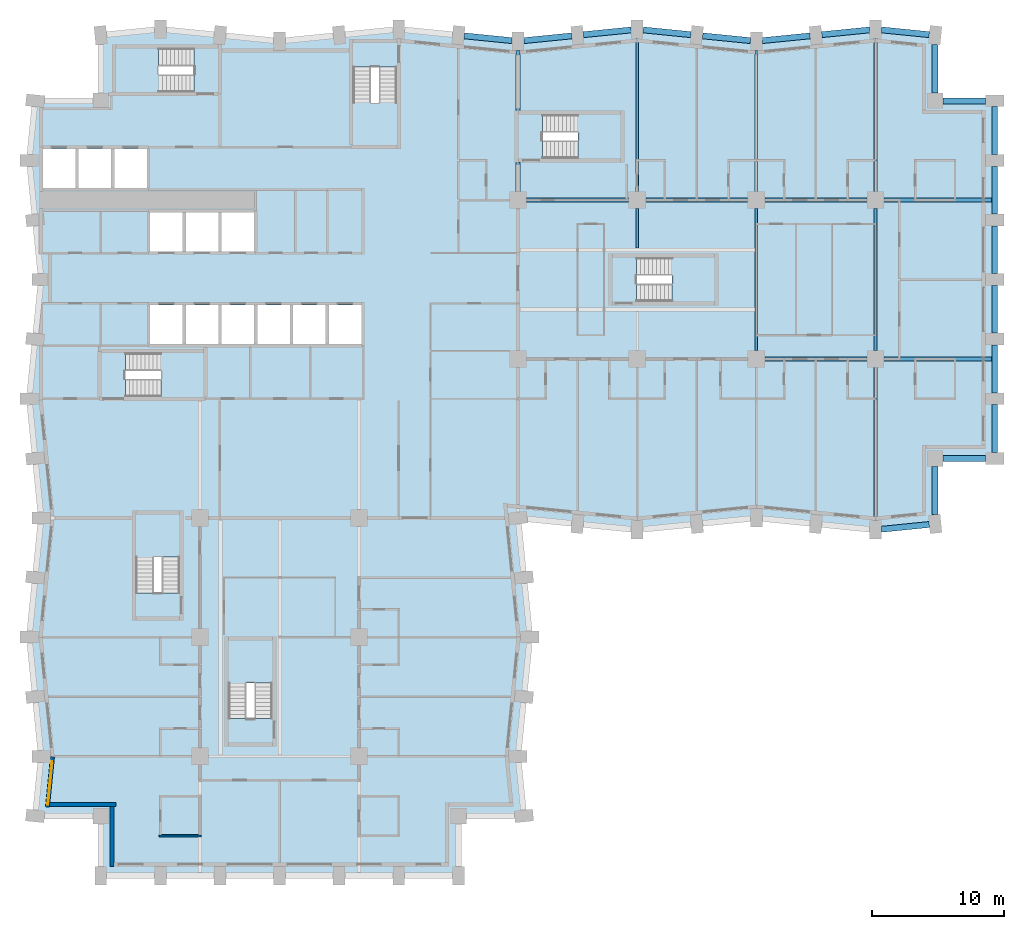
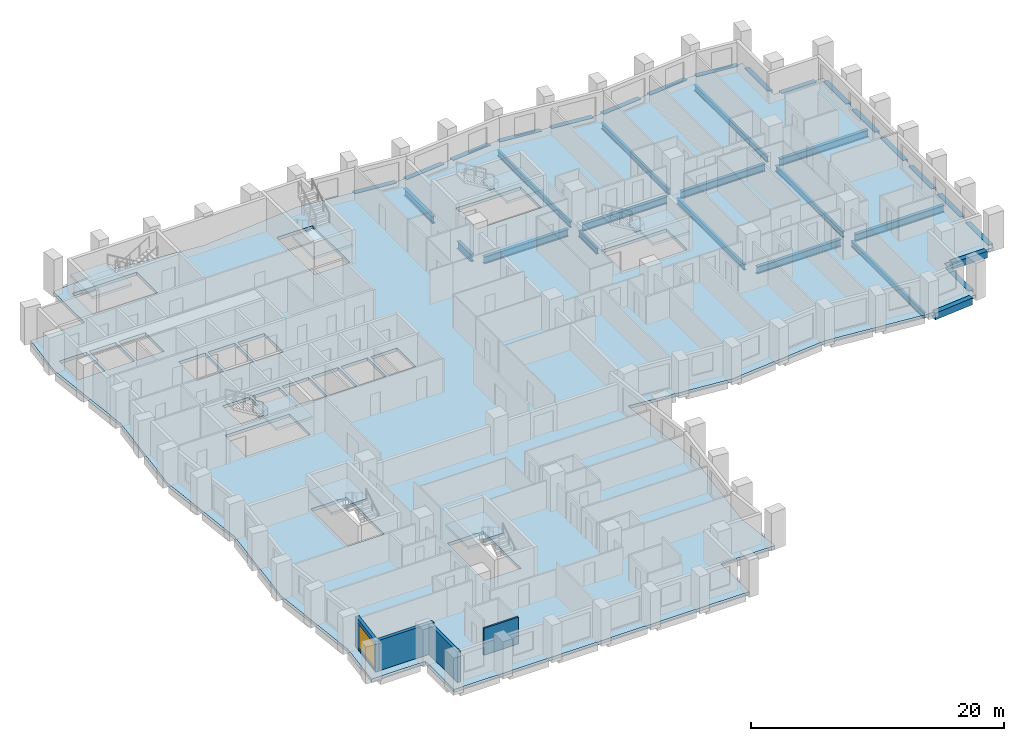
# One storey, part 2 of 13: 34 beams, 8 slabs, 4 walls, 1 window, 1 opening, 7 elements without a shape of their own.
"""IFC4 building model written with IfcOpenShell, lengths in metres."""

from ifc_helpers import new_model, si_unit, direction, frame, frame_2d, origin, origin_2d, place, context, subcontext, project, spatial, polyline, rectangle, i_section, outline, extrude, material, layer, layer_set, material_profile, profile_set, type_object, element, fill, aggregate, save


model = new_model("IFC4")

# Units and contexts
model_context = context("Model", 3, precision=1e-05, world=origin(), true_north=direction((0.0, 1.0)))
body_context = subcontext(model_context, "Body", "Model", "MODEL_VIEW")
ifc_project = project(units=[si_unit("LENGTHUNIT", "METRE"), si_unit("AREAUNIT", "SQUARE_METRE"), si_unit("VOLUMEUNIT", "CUBIC_METRE"), si_unit("PLANEANGLEUNIT", "RADIAN"), si_unit("MASSUNIT", "GRAM", prefix="KILO")], contexts=[model_context])

# Site, building, storey
site_placement = place(None, origin())
site = spatial("IfcSite", under=ifc_project, at=site_placement, CompositionType="ELEMENT")
building_placement = place(site_placement, origin())
building = spatial("IfcBuilding", under=site, at=building_placement, Name="Brondeck Convention Tower", CompositionType="ELEMENT")
storey_placement = place(building_placement, frame((0.0, 0.0, 44.699951171875)))
storey = spatial("IfcBuildingStorey", under=building, at=storey_placement, Name="L08", CompositionType="ELEMENT", Elevation=44.699951171875)

# Beams
ifc_material_1 = material(Name="Steel S355", Category="steel")
ifc_material_profile_1 = material_profile(ifc_material_1, i_section(OverallWidth=0.2099609375, OverallDepth=0.550048828125, WebThickness=0.010986328125, FlangeThickness=0.01708984375, FilletRadius=0.02392578125, at=origin_2d()), Name="IPE 550")
ifc_profile_set_1 = profile_set([ifc_material_profile_1], Name="Steel S355")
beam_type_1 = type_object("IfcBeamType", Name="Floor beam IPE 550", PredefinedType="BEAM", material=ifc_profile_set_1)
beam_1_placement = place(storey_placement, frame((45.0, 51.64990234375, -0.574951171875), z_axis=(0.0, 1.0, 0.0), x_axis=(-1.0, 0.0, 0.0)))
element("IfcBeam", 1, at=beam_1_placement, inside=storey, type_object=beam_type_1, Name="STR-FB-L08-002", PredefinedType="BEAM", context=body_context, shape_type="SweptSolid", body=[
    extrude(i_section(OverallWidth=0.2099609375, OverallDepth=0.550048828125, WebThickness=0.010986328125, FlangeThickness=0.01708984375, FilletRadius=0.02392578125, at=origin_2d()), origin(), (0.0, 0.0, 1.0), 11.550048828125),
])
beam_2_placement = place(storey_placement, frame((54.0, 39.64990234375, -0.574951171875), z_axis=(0.0, 1.0, 0.0), x_axis=(-1.0, 0.0, 0.0)))
element("IfcBeam", 2, at=beam_2_placement, inside=storey, type_object=beam_type_1, Name="STR-FB-L08-004", PredefinedType="BEAM", context=body_context, shape_type="SweptSolid", body=[
    extrude(i_section(OverallWidth=0.2099609375, OverallDepth=0.550048828125, WebThickness=0.010986328125, FlangeThickness=0.01708984375, FilletRadius=0.02392578125, at=origin_2d()), origin(), (0.0, 0.0, 1.0), 10.7001953125),
])
beam_3_placement = place(storey_placement, frame((54.0, 51.64990234375, -0.574951171875), z_axis=(0.0, 1.0, 0.0), x_axis=(-1.0, 0.0, 0.0)))
element("IfcBeam", 3, at=beam_3_placement, inside=storey, type_object=beam_type_1, Name="STR-FB-L08-005", PredefinedType="BEAM", context=body_context, shape_type="SweptSolid", body=[
    extrude(i_section(OverallWidth=0.2099609375, OverallDepth=0.550048828125, WebThickness=0.010986328125, FlangeThickness=0.01708984375, FilletRadius=0.02392578125, at=origin_2d()), origin(), (0.0, 0.0, 1.0), 10.650146484375),
])
beam_4_placement = place(storey_placement, frame((63.0, 26.800048828125, -0.574951171875), z_axis=(0.0, 1.0, 0.0), x_axis=(-1.0, 0.0, 0.0)))
element("IfcBeam", 4, at=beam_4_placement, inside=storey, type_object=beam_type_1, Name="STR-FB-L08-006", PredefinedType="BEAM", context=body_context, shape_type="SweptSolid", body=[
    extrude(i_section(OverallWidth=0.2099609375, OverallDepth=0.550048828125, WebThickness=0.010986328125, FlangeThickness=0.01708984375, FilletRadius=0.02392578125, at=origin_2d()), origin(), (0.0, 0.0, 1.0), 11.550048828125),
])
beam_5_placement = place(storey_placement, frame((63.0, 39.64990234375, -0.574951171875), z_axis=(0.0, 1.0, 0.0), x_axis=(-1.0, 0.0, 0.0)))
element("IfcBeam", 5, at=beam_5_placement, inside=storey, type_object=beam_type_1, Name="STR-FB-L08-007", PredefinedType="BEAM", context=body_context, shape_type="SweptSolid", body=[
    extrude(i_section(OverallWidth=0.2099609375, OverallDepth=0.550048828125, WebThickness=0.010986328125, FlangeThickness=0.01708984375, FilletRadius=0.02392578125, at=origin_2d()), origin(), (0.0, 0.0, 1.0), 10.7001953125),
])
beam_6_placement = place(storey_placement, frame((63.0, 51.64990234375, -0.574951171875), z_axis=(0.0, 1.0, 0.0), x_axis=(-1.0, 0.0, 0.0)))
element("IfcBeam", 6, at=beam_6_placement, inside=storey, type_object=beam_type_1, Name="STR-FB-L08-008", PredefinedType="BEAM", context=body_context, shape_type="SweptSolid", body=[
    extrude(i_section(OverallWidth=0.2099609375, OverallDepth=0.550048828125, WebThickness=0.010986328125, FlangeThickness=0.01708984375, FilletRadius=0.02392578125, at=origin_2d()), origin(), (0.0, 0.0, 1.0), 11.550048828125),
])
beam_7_placement = place(storey_placement, frame((45.0, 47.39990234375, -0.574951171875), z_axis=(0.0, 1.0, 0.0), x_axis=(-1.0, 0.0, 0.0)))
element("IfcBeam", 7, at=beam_7_placement, inside=storey, type_object=beam_type_1, Name="STR-FB-L08-015", PredefinedType="BEAM", context=body_context, shape_type="SweptSolid", body=[
    extrude(i_section(OverallWidth=0.2099609375, OverallDepth=0.550048828125, WebThickness=0.010986328125, FlangeThickness=0.01708984375, FilletRadius=0.02392578125, at=origin_2d()), origin(), (0.0, 0.0, 1.0), 2.9501953125),
])
ifc_material_profile_2 = material_profile(ifc_material_1, i_section(OverallWidth=0.300048828125, OverallDepth=0.699951171875, WebThickness=0.01708984375, FlangeThickness=0.031982421875, FilletRadius=0.027099609375, at=origin_2d()), Name="HEB 700")
ifc_profile_set_2 = profile_set([ifc_material_profile_2], Name="Steel S355")
beam_type_2 = type_object("IfcBeamType", Name="Girder HEB 700", PredefinedType="BEAM", material=ifc_profile_set_2)
beam_8_placement = place(storey_placement, frame((54.64990234375, 39.0, -0.64990234375), z_axis=(1.0, 0.0, 0.0), x_axis=(0.0, 1.0, 0.0)))
element("IfcBeam", 8, at=beam_8_placement, inside=storey, type_object=beam_type_2, Name="STR-GR-L08-003", PredefinedType="BEAM", context=body_context, shape_type="SweptSolid", body=[
    extrude(i_section(OverallWidth=0.300048828125, OverallDepth=0.699951171875, WebThickness=0.01708984375, FlangeThickness=0.031982421875, FilletRadius=0.027099609375, at=origin_2d()), origin(), (0.0, 0.0, 1.0), 7.7001953125),
])
beam_9_placement = place(storey_placement, frame((63.64990234375, 39.0, -0.64990234375), z_axis=(1.0, 0.0, 0.0), x_axis=(0.0, 1.0, 0.0)))
element("IfcBeam", 9, at=beam_9_placement, inside=storey, type_object=beam_type_2, Name="STR-GR-L08-004", PredefinedType="BEAM", context=body_context, shape_type="SweptSolid", body=[
    extrude(i_section(OverallWidth=0.300048828125, OverallDepth=0.699951171875, WebThickness=0.01708984375, FlangeThickness=0.031982421875, FilletRadius=0.027099609375, at=origin_2d()), origin(), (0.0, 0.0, 1.0), 8.125),
])
for number, where, z_axis, x_axis, name in (
    (10, (36.64990234375, 51.0, -0.64990234375), (1.0, 0.0, 0.0), (0.0, 1.0, 0.0), "STR-GR-L08-005"),
    (11, (45.64990234375, 51.0, -0.64990234375), (1.0, 0.0, 0.0), (0.0, 1.0, 0.0), "STR-GR-L08-006"),
    (12, (54.64990234375, 51.0, -0.64990234375), (1.0, 0.0, 0.0), (0.0, 1.0, 0.0), "STR-GR-L08-007"),
):
    element("IfcBeam", number, at=place(storey_placement, frame(where, z_axis=z_axis, x_axis=x_axis)), inside=storey, type_object=beam_type_2, Name=name, PredefinedType="BEAM", context=body_context, shape_type="SweptSolid", body=[
        extrude(i_section(OverallWidth=0.300048828125, OverallDepth=0.699951171875, WebThickness=0.01708984375, FlangeThickness=0.031982421875, FilletRadius=0.027099609375, at=origin_2d()), origin(), (0.0, 0.0, 1.0), 7.7001953125),
    ])
beam_10_placement = place(storey_placement, frame((63.64990234375, 51.0, -0.64990234375), z_axis=(1.0, 0.0, 0.0), x_axis=(0.0, 1.0, 0.0)))
element("IfcBeam", 13, at=beam_10_placement, inside=storey, type_object=beam_type_2, Name="STR-GR-L08-008", PredefinedType="BEAM", context=body_context, shape_type="SweptSolid", body=[
    extrude(i_section(OverallWidth=0.300048828125, OverallDepth=0.699951171875, WebThickness=0.01708984375, FlangeThickness=0.031982421875, FilletRadius=0.027099609375, at=origin_2d()), origin(), (0.0, 0.0, 1.0), 8.125),
])
beam_11_placement = place(storey_placement, frame((36.0, 51.64990234375, -0.64990234375), z_axis=(0.0, 1.0, 0.0), x_axis=(-1.0, 0.0, 0.0)))
element("IfcBeam", 14, at=beam_11_placement, inside=storey, type_object=beam_type_2, Name="STR-GR-L08-011", PredefinedType="BEAM", context=body_context, shape_type="SweptSolid", body=[
    extrude(i_section(OverallWidth=0.300048828125, OverallDepth=0.699951171875, WebThickness=0.01708984375, FlangeThickness=0.031982421875, FilletRadius=0.027099609375, at=origin_2d()), origin(), (0.0, 0.0, 1.0), 2.22998046875),
])
beam_12_placement = place(storey_placement, frame((36.0, 57.719970703125, -0.64990234375), z_axis=(0.0, 1.0, 0.0), x_axis=(-1.0, 0.0, 0.0)))
element("IfcBeam", 15, at=beam_12_placement, inside=storey, type_object=beam_type_2, Name="STR-GR-L08-012", PredefinedType="BEAM", context=body_context, shape_type="SweptSolid", body=[
    extrude(i_section(OverallWidth=0.300048828125, OverallDepth=0.699951171875, WebThickness=0.01708984375, FlangeThickness=0.031982421875, FilletRadius=0.027099609375, at=origin_2d()), origin(), (0.0, 0.0, 1.0), 4.580078125),
])
ifc_material_2 = material(Name="Concrete C80/95", Category="concrete")
ifc_material_profile_3 = material_profile(ifc_material_2, rectangle(XDim=0.449951171875, YDim=0.64990234375, at=origin_2d()), Name="Precast spandrel 450x650 Concrete C80/95")
ifc_profile_set_3 = profile_set([ifc_material_profile_3], Name="Concrete C80/95")
beam_type_3 = type_object("IfcBeamType", Name="Precast spandrel 450x650 Concrete C80/95", PredefinedType="SPANDREL", material=ifc_profile_set_3)
beam_13_placement = place(storey_placement, frame((63.449951171875, 26.14501953125, -0.324951171875), z_axis=(0.995040528141, 0.099470334057, 0.0), x_axis=(-0.099470334057, 0.995040528141, 0.0)))
element("IfcBeam", 16, at=beam_13_placement, inside=storey, type_object=beam_type_3, Name="STR-SP-L08-020", PredefinedType="SPANDREL", context=body_context, shape_type="SweptSolid", body=[
    extrude(rectangle(XDim=0.449951171875, YDim=0.64990234375, at=origin_2d()), origin(), (0.0, 0.0, 1.0), 3.620361328125),
])
beam_14_placement = place(storey_placement, frame((67.5, 27.25341796875, -0.324951171875), z_axis=(0.0, 1.0, 0.0), x_axis=(-1.0, 0.0, 0.0)))
element("IfcBeam", 17, at=beam_14_placement, inside=storey, type_object=beam_type_3, Name="STR-SP-L08-021", PredefinedType="SPANDREL", context=body_context, shape_type="SweptSolid", body=[
    extrude(rectangle(XDim=0.449951171875, YDim=0.64990234375, at=origin_2d()), origin(), (0.0, 0.0, 1.0), 3.646484375),
])
beam_15_placement = place(storey_placement, frame((68.10009765625, 31.5, -0.324951171875), z_axis=(1.0, 0.0, 0.0), x_axis=(0.0, 1.0, 0.0)))
element("IfcBeam", 18, at=beam_15_placement, inside=storey, type_object=beam_type_3, Name="STR-SP-L08-022", PredefinedType="SPANDREL", context=body_context, shape_type="SweptSolid", body=[
    extrude(rectangle(XDim=0.449951171875, YDim=0.64990234375, at=origin_2d()), origin(), (0.0, 0.0, 1.0), 3.199951171875),
])
for number, where, z_axis, x_axis, name in (
    (19, (72.0, 31.949951171875, -0.324951171875), (0.0, 1.0, 0.0), (-1.0, 0.0, 0.0), "STR-SP-L08-023"),
    (20, (72.0, 36.449951171875, -0.324951171875), (0.0, 1.0, 0.0), (-1.0, 0.0, 0.0), "STR-SP-L08-024"),
    (21, (72.0, 40.949951171875, -0.324951171875), (0.0, 1.0, 0.0), (-1.0, 0.0, 0.0), "STR-SP-L08-025"),
    (22, (72.0, 45.449951171875, -0.324951171875), (0.0, 1.0, 0.0), (-1.0, 0.0, 0.0), "STR-SP-L08-026"),
    (23, (72.0, 49.949951171875, -0.324951171875), (0.0, 1.0, 0.0), (-1.0, 0.0, 0.0), "STR-SP-L08-027"),
    (24, (72.0, 54.449951171875, -0.324951171875), (0.0, 1.0, 0.0), (-1.0, 0.0, 0.0), "STR-SP-L08-028"),
):
    element("IfcBeam", number, at=place(storey_placement, frame(where, z_axis=z_axis, x_axis=x_axis)), inside=storey, type_object=beam_type_3, Name=name, PredefinedType="SPANDREL", context=body_context, shape_type="SweptSolid", body=[
        extrude(rectangle(XDim=0.449951171875, YDim=0.64990234375, at=origin_2d()), origin(), (0.0, 0.0, 1.0), 3.60009765625),
    ])
beam_16_placement = place(storey_placement, frame((71.300048828125, 58.5, -0.324951171875), z_axis=(-1.0, 0.0, 0.0), x_axis=(0.0, -1.0, 0.0)))
element("IfcBeam", 25, at=beam_16_placement, inside=storey, type_object=beam_type_3, Name="STR-SP-L08-029", PredefinedType="SPANDREL", context=body_context, shape_type="SweptSolid", body=[
    extrude(rectangle(XDim=0.449951171875, YDim=0.64990234375, at=origin_2d()), origin(), (0.0, 0.0, 1.0), 3.199951171875),
])
beam_17_placement = place(storey_placement, frame((67.5, 59.10009765625, -0.324951171875), z_axis=(0.0, 1.0, 0.0), x_axis=(-1.0, 0.0, 0.0)))
element("IfcBeam", 26, at=beam_17_placement, inside=storey, type_object=beam_type_3, Name="STR-SP-L08-030", PredefinedType="SPANDREL", context=body_context, shape_type="SweptSolid", body=[
    extrude(rectangle(XDim=0.449951171875, YDim=0.64990234375, at=origin_2d()), origin(), (0.0, 0.0, 1.0), 3.646484375),
])
for number, where, z_axis, x_axis, name in (
    (27, (67.05224609375, 63.494873046875, -0.324951171875), (-0.995040528141, 0.099470334057, 0.0), (-0.099470334057, -0.995040528141, 0.0), "STR-SP-L08-031"),
    (28, (62.550048828125, 63.85498046875, -0.324951171875), (-0.995040528141, -0.099470334057, 0.0), (0.099470334057, -0.995040528141, 0.0), "STR-SP-L08-032"),
    (29, (58.05224609375, 63.4052734375, -0.324951171875), (-0.995033851182, -0.099537103649, 0.0), (0.099537103649, -0.995033851182, 0.0), "STR-SP-L08-033"),
    (30, (53.550048828125, 63.044921875, -0.324951171875), (-0.995033851182, 0.099537103649, 0.0), (-0.099537103649, -0.995033851182, 0.0), "STR-SP-L08-034"),
    (31, (49.05224609375, 63.494873046875, -0.324951171875), (-0.995040528141, 0.099470334057, 0.0), (-0.099470334057, -0.995040528141, 0.0), "STR-SP-L08-035"),
    (32, (44.550048828125, 63.85498046875, -0.324951171875), (-0.995040528141, -0.099470334057, 0.0), (0.099470334057, -0.995040528141, 0.0), "STR-SP-L08-036"),
    (33, (40.05224609375, 63.4052734375, -0.324951171875), (-0.995033851182, -0.099537103649, 0.0), (0.099537103649, -0.995033851182, 0.0), "STR-SP-L08-037"),
    (34, (35.550048828125, 63.044921875, -0.324951171875), (-0.995033851182, 0.099537103649, 0.0), (-0.099537103649, -0.995033851182, 0.0), "STR-SP-L08-038"),
):
    element("IfcBeam", number, at=place(storey_placement, frame(where, z_axis=z_axis, x_axis=x_axis)), inside=storey, type_object=beam_type_3, Name=name, PredefinedType="SPANDREL", context=body_context, shape_type="SweptSolid", body=[
        extrude(rectangle(XDim=0.449951171875, YDim=0.64990234375, at=origin_2d()), origin(), (0.0, 0.0, 1.0), 3.620361328125),
    ])

# Slab
ifc_material_3 = material(Name="Concrete C35/45", Category="concrete")
ifc_layer_1 = layer(ifc_material_3, 0.300048828125)
ifc_layer_set_1 = layer_set([ifc_layer_1], Name="Composite floor slab 300")
slab_type_1 = type_object("IfcSlabType", Name="Composite floor slab 300", PredefinedType="FLOOR", material=ifc_layer_set_1)
slab_1_placement = place(storey_placement, frame((0.0, 0.0, -0.300048828125)))
element("IfcSlab", 35, at=slab_1_placement, inside=storey, type_object=slab_type_1, Name="STR-SL-L08", PredefinedType="FLOOR", context=body_context, shape_type="SweptSolid", body=[
    extrude(outline(polyline([(4.5, 4.5), (-0.449951171875, 4.5), (0.0, 9.0), (-0.89990234375, 18.0), (0.0, 27.0), (-0.89990234375, 36.0), (0.0, 45.0), (-0.89990234375, 54.0), (-0.449951171875, 58.5), (4.5, 58.5), (4.5, 63.449951171875), (9.0, 63.89990234375), (18.0, 63.0), (27.0, 63.89990234375), (36.0, 63.0), (45.0, 63.89990234375), (54.0, 63.0), (63.0, 63.89990234375), (67.5, 63.449951171875), (67.5, 58.5), (72.0, 58.5), (72.0, 31.5), (67.5, 31.5), (67.5, 26.550048828125), (63.0, 26.10009765625), (54.0, 27.0), (45.0, 26.10009765625), (36.0, 27.0), (36.89990234375, 18.0), (36.0, 9.0), (36.449951171875, 4.5), (31.5, 4.5), (31.5, 0.0), (4.5, 0.0), (4.5, 4.5)]), holes=[polyline([(10.447998046875, 27.248046875), (7.152099609375, 27.248046875), (7.152099609375, 21.35205078125), (10.447998046875, 21.35205078125), (10.447998046875, 27.248046875)]), polyline([(12.248046875, 36.152099609375), (12.248046875, 39.447998046875), (6.35205078125, 39.447998046875), (6.35205078125, 36.152099609375), (12.248046875, 36.152099609375)]), polyline([(10.675048828125, 40.125), (10.675048828125, 43.074951171875), (8.22509765625, 43.074951171875), (8.22509765625, 40.125), (10.675048828125, 40.125)]), polyline([(13.375, 40.125), (13.375, 43.074951171875), (10.925048828125, 43.074951171875), (10.925048828125, 40.125), (13.375, 40.125)]), polyline([(10.675048828125, 47.125), (10.675048828125, 50.074951171875), (8.22509765625, 50.074951171875), (8.22509765625, 47.125), (10.675048828125, 47.125)]), polyline([(13.375, 47.125), (13.375, 50.074951171875), (10.925048828125, 50.074951171875), (10.925048828125, 47.125), (13.375, 47.125)]), polyline([(2.574951171875, 51.925048828125), (2.574951171875, 54.875), (0.125, 54.875), (0.125, 51.925048828125), (2.574951171875, 51.925048828125)]), polyline([(2.824951171875, 51.925048828125), (5.27490234375, 51.925048828125), (5.27490234375, 54.875), (2.824951171875, 54.875), (2.824951171875, 51.925048828125)]), polyline([(5.52490234375, 51.925048828125), (7.97509765625, 51.925048828125), (7.97509765625, 54.875), (5.52490234375, 54.875), (5.52490234375, 51.925048828125)]), polyline([(5.652099609375, 62.447998046875), (5.652099609375, 59.152099609375), (11.548095703125, 59.152099609375), (11.548095703125, 62.447998046875), (5.652099609375, 62.447998046875)]), polyline([(17.447998046875, 17.748046875), (14.152099609375, 17.748046875), (14.152099609375, 11.85205078125), (17.447998046875, 11.85205078125), (17.447998046875, 17.748046875)]), polyline([(16.074951171875, 40.125), (16.074951171875, 43.074951171875), (13.625, 43.074951171875), (13.625, 40.125), (16.074951171875, 40.125)]), polyline([(16.324951171875, 40.125), (18.77490234375, 40.125), (18.77490234375, 43.074951171875), (16.324951171875, 43.074951171875), (16.324951171875, 40.125)]), polyline([(19.02490234375, 40.125), (21.47509765625, 40.125), (21.47509765625, 43.074951171875), (19.02490234375, 43.074951171875), (19.02490234375, 40.125)]), polyline([(24.175048828125, 40.125), (24.175048828125, 43.074951171875), (21.72509765625, 43.074951171875), (21.72509765625, 40.125), (24.175048828125, 40.125)]), polyline([(50.847900390625, 43.35205078125), (50.847900390625, 46.64794921875), (44.951904296875, 46.64794921875), (44.951904296875, 43.35205078125), (50.847900390625, 43.35205078125)]), polyline([(16.074951171875, 47.125), (16.074951171875, 50.074951171875), (13.625, 50.074951171875), (13.625, 47.125), (16.074951171875, 47.125)]), polyline([(37.85205078125, 54.152099609375), (43.748046875, 54.152099609375), (43.748046875, 57.447998046875), (37.85205078125, 57.447998046875), (37.85205078125, 54.152099609375)]), polyline([(23.552001953125, 61.048095703125), (23.552001953125, 55.152099609375), (26.847900390625, 55.152099609375), (26.847900390625, 61.048095703125), (23.552001953125, 61.048095703125)])]), origin(), (0.0, 0.0, 1.0), 0.300048828125),
])

# Stair, slab
ifc_material_4 = material(Name="Precast concrete C50/60", Category="concrete")
stair_type = type_object("IfcStairType", Name="Core stair 20 risers 180.00 mm riser 300 mm going 1350 wide", PredefinedType="HALF_TURN_STAIR", material=ifc_material_4)
stair_1_placement = place(storey_placement, origin())
stair_1 = element("IfcStair", 36, at=stair_1_placement, inside=storey, type_object=stair_type, Name="ST-1 L08 stair", PredefinedType="HALF_TURN_STAIR")
ifc_layer_2 = layer(ifc_material_4, 0.25)
ifc_layer_set_2 = layer_set([ifc_layer_2], Name="Core stair landing 250 Precast concrete C50/60")
slab_type_2 = type_object("IfcSlabType", Name="Core stair landing 250 Precast concrete C50/60", PredefinedType="LANDING", material=ifc_layer_set_2)
slab_2_placement = place(storey_placement, frame((0.0, 0.0, 1.550048828125)))
slab_2 = element("IfcSlab", 37, at=slab_2_placement, type_object=slab_type_2, Name="ST-1 landing 1", PredefinedType="LANDING", context=body_context, shape_type="SweptSolid", body=[
    extrude(outline(polyline([(9.048095703125, 37.5), (9.050048828125, 37.5), (9.050048828125, 38.10009765625), (8.75, 38.10009765625), (8.75, 39.570068359375), (12.3701171875, 39.570068359375), (12.3701171875, 36.030029296875), (9.048095703125, 36.030029296875), (9.048095703125, 37.5)])), origin(), (0.0, 0.0, 1.0), 0.25),
])
aggregate(stair_1, [slab_2])

stair_2_placement = place(storey_placement, origin())
stair_2 = element("IfcStair", 38, at=stair_2_placement, inside=storey, type_object=stair_type, Name="ST-2 L08 stair", PredefinedType="HALF_TURN_STAIR")
slab_3_placement = place(storey_placement, frame((0.0, 0.0, 1.550048828125)))
slab_3 = element("IfcSlab", 39, at=slab_3_placement, type_object=slab_type_2, Name="ST-2 landing 1", PredefinedType="LANDING", context=body_context, shape_type="SweptSolid", body=[
    extrude(outline(polyline([(23.429931640625, 58.35205078125), (24.89990234375, 58.35205078125), (24.89990234375, 58.35009765625), (25.5, 58.35009765625), (25.5, 58.64990234375), (26.969970703125, 58.64990234375), (26.969970703125, 55.030029296875), (23.429931640625, 55.030029296875), (23.429931640625, 58.35205078125)])), origin(), (0.0, 0.0, 1.0), 0.25),
])
aggregate(stair_2, [slab_3])

stair_3_placement = place(storey_placement, origin())
stair_3 = element("IfcStair", 40, at=stair_3_placement, inside=storey, type_object=stair_type, Name="ST-3 L08 stair", PredefinedType="HALF_TURN_STAIR")
slab_4_placement = place(storey_placement, frame((0.0, 0.0, 1.550048828125)))
slab_4 = element("IfcSlab", 41, at=slab_4_placement, type_object=slab_type_2, Name="ST-3 landing 1", PredefinedType="LANDING", context=body_context, shape_type="SweptSolid", body=[
    extrude(outline(polyline([(9.14990234375, 60.5), (9.14990234375, 59.030029296875), (5.530029296875, 59.030029296875), (5.530029296875, 62.570068359375), (8.85205078125, 62.570068359375), (8.85205078125, 61.10009765625), (8.85009765625, 61.10009765625), (8.85009765625, 60.5), (9.14990234375, 60.5)])), origin(), (0.0, 0.0, 1.0), 0.25),
])
aggregate(stair_3, [slab_4])

stair_4_placement = place(storey_placement, origin())
stair_4 = element("IfcStair", 42, at=stair_4_placement, inside=storey, type_object=stair_type, Name="ST-AE L08 stair", PredefinedType="HALF_TURN_STAIR")
slab_5_placement = place(storey_placement, frame((0.0, 0.0, 1.550048828125)))
slab_5 = element("IfcSlab", 43, at=slab_5_placement, type_object=slab_type_2, Name="ST-AE landing 1", PredefinedType="LANDING", context=body_context, shape_type="SweptSolid", body=[
    extrude(outline(polyline([(40.548095703125, 55.5), (40.550048828125, 55.5), (40.550048828125, 56.10009765625), (40.25, 56.10009765625), (40.25, 57.570068359375), (43.8701171875, 57.570068359375), (43.8701171875, 54.030029296875), (40.548095703125, 54.030029296875), (40.548095703125, 55.5)])), origin(), (0.0, 0.0, 1.0), 0.25),
])
aggregate(stair_4, [slab_5])

stair_5_placement = place(storey_placement, origin())
stair_5 = element("IfcStair", 44, at=stair_5_placement, inside=storey, type_object=stair_type, Name="ST-BE L08 stair", PredefinedType="HALF_TURN_STAIR")
slab_6_placement = place(storey_placement, frame((0.0, 0.0, 1.550048828125)))
slab_6 = element("IfcSlab", 45, at=slab_6_placement, type_object=slab_type_2, Name="ST-BE landing 1", PredefinedType="LANDING", context=body_context, shape_type="SweptSolid", body=[
    extrude(outline(polyline([(7.030029296875, 23.75), (7.030029296875, 27.3701171875), (10.570068359375, 27.3701171875), (10.570068359375, 24.048095703125), (9.10009765625, 24.048095703125), (9.10009765625, 24.050048828125), (8.5, 24.050048828125), (8.5, 23.75), (7.030029296875, 23.75)])), origin(), (0.0, 0.0, 1.0), 0.25),
])
aggregate(stair_5, [slab_6])

stair_6_placement = place(storey_placement, origin())
stair_6 = element("IfcStair", 46, at=stair_6_placement, inside=storey, type_object=stair_type, Name="ST-AF L08 stair", PredefinedType="HALF_TURN_STAIR")
slab_7_placement = place(storey_placement, frame((0.0, 0.0, 1.550048828125)))
slab_7 = element("IfcSlab", 47, at=slab_7_placement, type_object=slab_type_2, Name="ST-AF landing 1", PredefinedType="LANDING", context=body_context, shape_type="SweptSolid", body=[
    extrude(outline(polyline([(47.64794921875, 44.699951171875), (47.64990234375, 44.699951171875), (47.64990234375, 45.300048828125), (47.35009765625, 45.300048828125), (47.35009765625, 46.77001953125), (50.969970703125, 46.77001953125), (50.969970703125, 43.22998046875), (47.64794921875, 43.22998046875), (47.64794921875, 44.699951171875)])), origin(), (0.0, 0.0, 1.0), 0.25),
])
aggregate(stair_6, [slab_7])

stair_7_placement = place(storey_placement, origin())
stair_7 = element("IfcStair", 48, at=stair_7_placement, inside=storey, type_object=stair_type, Name="ST-BF L08 stair", PredefinedType="HALF_TURN_STAIR")
slab_8_placement = place(storey_placement, frame((0.0, 0.0, 1.550048828125)))
slab_8 = element("IfcSlab", 49, at=slab_8_placement, type_object=slab_type_2, Name="ST-BF landing 1", PredefinedType="LANDING", context=body_context, shape_type="SweptSolid", body=[
    extrude(outline(polyline([(14.030029296875, 14.25), (14.030029296875, 17.8701171875), (17.570068359375, 17.8701171875), (17.570068359375, 14.548095703125), (16.10009765625, 14.548095703125), (16.10009765625, 14.550048828125), (15.5, 14.550048828125), (15.5, 14.25), (14.030029296875, 14.25)])), origin(), (0.0, 0.0, 1.0), 0.25),
])
aggregate(stair_7, [slab_8])

# Wall, opening, window
ifc_material_5 = material(Name="Precast concrete C50/60 bronze finish", Category="concrete")
ifc_layer_3 = layer(ifc_material_5, 0.070068359375, Name="Bronze precast facing")
ifc_material_6 = material(Name="Mineral wool")
ifc_layer_4 = layer(ifc_material_6, 0.159912109375, Name="Insulation")
ifc_layer_5 = layer(ifc_material_3, 0.070068359375, Name="Backing")
ifc_layer_set_3 = layer_set([ifc_layer_3, ifc_layer_4, ifc_layer_5], Name="External infill wall, precast concrete C50/60 bronze facing")
wall_type_1 = type_object("IfcWallType", Name="External infill wall, precast concrete C50/60 bronze facing", PredefinedType="SOLIDWALL", material=ifc_layer_set_3)
wall_1_placement = place(storey_placement, frame((0.47265625, 5.18505859375, 0.0), z_axis=(0.0, 0.0, 1.0), x_axis=(0.099541845169, 0.995033376857, 0.0)))
wall_1 = element("IfcWall", 50, at=wall_1_placement, inside=storey, type_object=wall_type_1, Name="ENV-EW-L08-P0-B-W-12", PredefinedType="SOLIDWALL", context=body_context, shape_type="SweptSolid", body=[
    extrude(rectangle(XDim=3.803955078125, YDim=0.300048828125, at=frame_2d((1.90185546875, 0.0))), origin(), (0.0, 0.0, 1.0), 2.949951171875),
])
opening_placement = place(wall_1_placement, frame((0.14990234375, 0.0, 0.14990234375)))
opening = element("IfcOpeningElement", 51, at=opening_placement, cuts=wall_1, Name="Opening W9", PredefinedType="OPENING", context=body_context, shape_type="SweptSolid", body=[
    extrude(rectangle(XDim=3.300048828125, YDim=2.39990234375, at=frame_2d((1.64990234375, 1.199951171875))), frame((0.0, 0.159912109375, 0.0), z_axis=(0.0, -1.0, 0.0), x_axis=(1.0, 0.0, 0.0)), (0.0, 0.0, 1.0), 0.320068359375),
])
ifc_material_7 = material(Name="Bronze tinted double glazing", Category="glass")
window_type = type_object("IfcWindowType", Name="Glazed flute window, bronze tinted", PartitioningType="SINGLE_PANEL", PredefinedType="WINDOW", material=ifc_material_7)
window_placement = place(opening_placement, origin())
window = element("IfcWindow", 52, at=window_placement, inside=storey, type_object=window_type, Name="ENV-WN-L08-P0-B-W-12", OverallHeight=2.39990234375, OverallWidth=3.300048828125, PartitioningType="SINGLE_PANEL", PredefinedType="WINDOW", context=body_context, shape_type="SweptSolid", body=[
    extrude(rectangle(XDim=3.300048828125, YDim=2.39990234375, at=frame_2d((1.64990234375, 1.199951171875))), frame((0.0, 0.030029296875, 0.0), z_axis=(0.0, -1.0, 0.0), x_axis=(1.0, 0.0, 0.0)), (0.0, 0.0, 1.0), 0.06005859375),
])
fill(opening, window)

# Walls
wall_2_placement = place(storey_placement, frame((5.64990234375, 5.35009765625, 0.0), z_axis=(0.0, 0.0, 1.0), x_axis=(-1.0, 0.0, 0.0)))
element("IfcWall", 53, at=wall_2_placement, inside=storey, type_object=wall_type_1, Name="ENV-EW-L08-P0-NC-SWB0-01", PredefinedType="SOLIDWALL", context=body_context, shape_type="SweptSolid", body=[
    extrude(rectangle(XDim=5.004638671875, YDim=0.300048828125, at=frame_2d((2.50244140625, 0.0))), origin(), (0.0, 0.0, 1.0), 2.949951171875),
])
wall_3_placement = place(storey_placement, frame((5.35009765625, 0.699951171875, 0.0), z_axis=(0.0, 0.0, 1.0), x_axis=(0.0, 1.0, 0.0)))
element("IfcWall", 54, at=wall_3_placement, inside=storey, type_object=wall_type_1, Name="ENV-EW-L08-P0-NC-SWB0-02", PredefinedType="SOLIDWALL", context=body_context, shape_type="SweptSolid", body=[
    extrude(rectangle(XDim=4.5, YDim=0.300048828125, at=frame_2d((2.25, 0.0))), origin(), (0.0, 0.0, 1.0), 2.949951171875),
])
ifc_material_8 = material(Name="Double gypsum board acoustic wall")
ifc_layer_6 = layer(ifc_material_8, 0.14990234375)
ifc_layer_set_4 = layer_set([ifc_layer_6], Name="Guest room party wall 150")
wall_type_2 = type_object("IfcWallType", Name="Guest room party wall 150", PredefinedType="PARTITIONING", material=ifc_layer_set_4)
wall_4_placement = place(storey_placement, frame((8.925048828125, 3.0, 0.0), z_axis=(0.0, 0.0, 1.0), x_axis=(1.0, 0.0, 0.0)))
element("IfcWall", 55, at=wall_4_placement, inside=storey, type_object=wall_type_2, Name="FLR-L08-W001", PredefinedType="PARTITIONING", context=body_context, shape_type="SweptSolid", body=[
    extrude(rectangle(XDim=3.14990234375, YDim=0.14990234375, at=frame_2d((1.574951171875, 0.0))), origin(), (0.0, 0.0, 1.0), 2.580078125),
])

save(model, "model.ifc")
